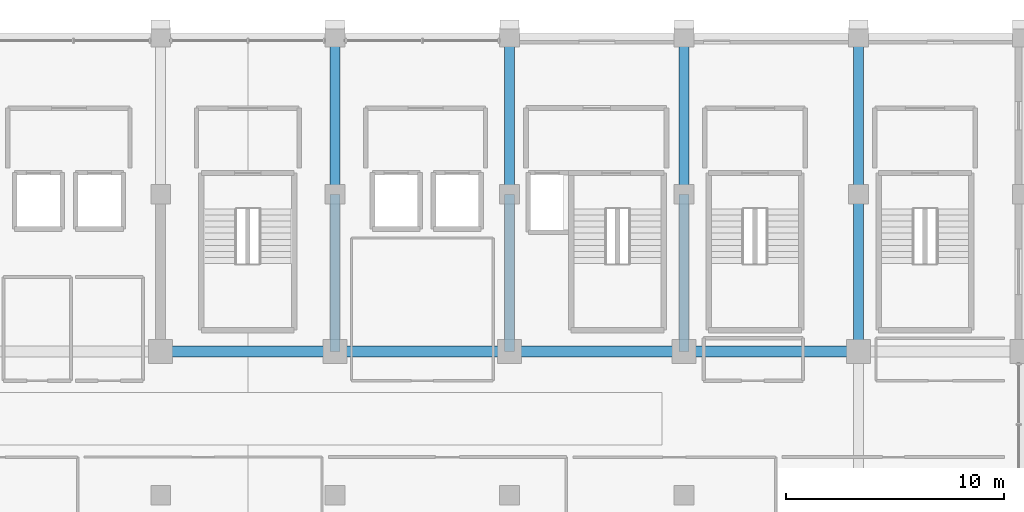
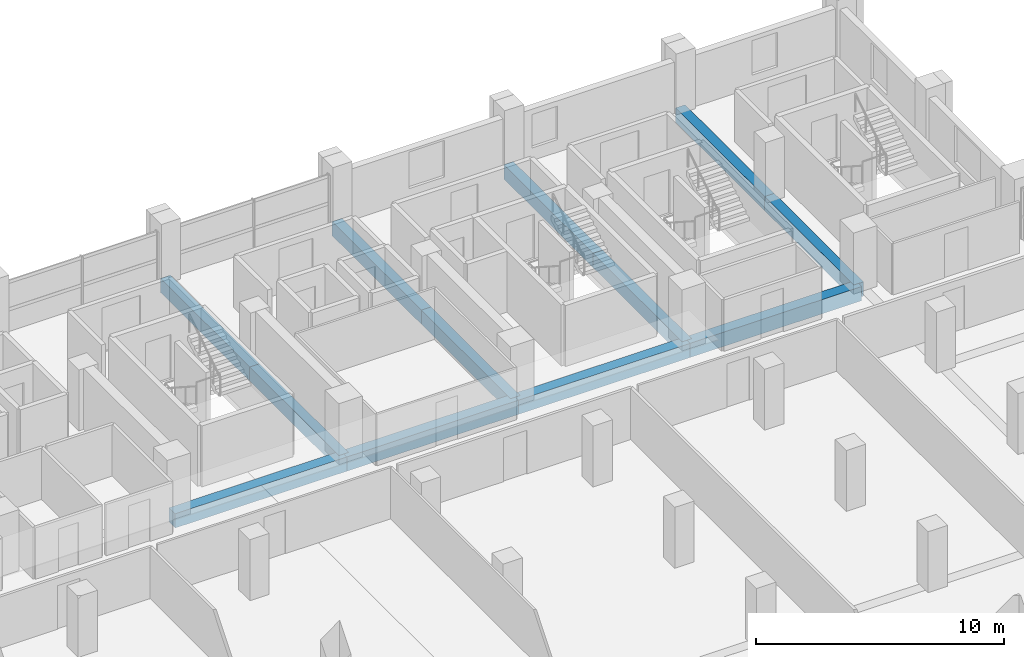
# One storey, part 11 of 22: 12 beams.
"""IFC4 building model written with IfcOpenShell, lengths in metres."""

from ifc_helpers import new_model, si_unit, direction, frame, origin, origin_2d, place, context, subcontext, project, spatial, rectangle, extrude, material, material_profile, profile_set, type_object, element, save


model = new_model("IFC4")

# Units and contexts
model_context = context("Model", 3, precision=1e-05, world=origin(), true_north=direction((0.0, 1.0)))
body_context = subcontext(model_context, "Body", "Model", "MODEL_VIEW")
ifc_project = project(units=[si_unit("LENGTHUNIT", "METRE"), si_unit("AREAUNIT", "SQUARE_METRE"), si_unit("VOLUMEUNIT", "CUBIC_METRE"), si_unit("PLANEANGLEUNIT", "RADIAN"), si_unit("MASSUNIT", "GRAM", prefix="KILO")], contexts=[model_context])

# Site, building, storey
site_placement = place(None, origin())
site = spatial("IfcSite", under=ifc_project, at=site_placement, CompositionType="ELEMENT")
building_placement = place(site_placement, origin())
building = spatial("IfcBuilding", under=site, at=building_placement, Name="Akrevak Sports Hall", CompositionType="ELEMENT")
storey_placement = place(building_placement, frame((0.0, 0.0, 30.800048828125)))
storey = spatial("IfcBuildingStorey", under=building, at=storey_placement, Name="L06", CompositionType="ELEMENT", Elevation=30.800048828125)

# Beams
ifc_material = material(Name="Concrete C40/50", Category="concrete")
ifc_material_profile_1 = material_profile(ifc_material, rectangle(XDim=0.449951171875, YDim=0.699951171875, at=origin_2d()), Name="BM 450x700", Category="concrete")
ifc_profile_set_1 = profile_set([ifc_material_profile_1], Name="Concrete C40/50")
beam_type_1 = type_object("IfcBeamType", Name="STR-BM-RC450x700", PredefinedType="BEAM", material=ifc_profile_set_1)
beam_1_placement = place(storey_placement, frame((84.0, 55.199951171875, -0.35009765625), z_axis=(0.0, 1.0, 0.0), x_axis=(-1.0, 0.0, 0.0)))
element("IfcBeam", 1, at=beam_1_placement, inside=storey, type_object=beam_type_1, Name="Girder 12/I-J (L06)", PredefinedType="BEAM", context=body_context, shape_type="SweptSolid", body=[
    extrude(rectangle(XDim=0.449951171875, YDim=0.699951171875, at=origin_2d()), origin(), (0.0, 0.0, 1.0), 7.199951171875),
])
beam_2_placement = place(storey_placement, frame((84.0, 62.39990234375, -0.35009765625), z_axis=(0.0, 1.0, 0.0), x_axis=(-1.0, 0.0, 0.0)))
element("IfcBeam", 2, at=beam_2_placement, inside=storey, type_object=beam_type_1, Name="Girder 12/J-K (L06)", PredefinedType="BEAM", context=body_context, shape_type="SweptSolid", body=[
    extrude(rectangle(XDim=0.449951171875, YDim=0.699951171875, at=origin_2d()), origin(), (0.0, 0.0, 1.0), 7.2001953125),
])
beam_3_placement = place(storey_placement, frame((92.0, 55.199951171875, -0.35009765625), z_axis=(0.0, 1.0, 0.0), x_axis=(-1.0, 0.0, 0.0)))
element("IfcBeam", 3, at=beam_3_placement, inside=storey, type_object=beam_type_1, Name="Girder 13/I-J (L06)", PredefinedType="BEAM", context=body_context, shape_type="SweptSolid", body=[
    extrude(rectangle(XDim=0.449951171875, YDim=0.699951171875, at=origin_2d()), origin(), (0.0, 0.0, 1.0), 7.199951171875),
])
beam_4_placement = place(storey_placement, frame((92.0, 62.39990234375, -0.35009765625), z_axis=(0.0, 1.0, 0.0), x_axis=(-1.0, 0.0, 0.0)))
element("IfcBeam", 4, at=beam_4_placement, inside=storey, type_object=beam_type_1, Name="Girder 13/J-K (L06)", PredefinedType="BEAM", context=body_context, shape_type="SweptSolid", body=[
    extrude(rectangle(XDim=0.449951171875, YDim=0.699951171875, at=origin_2d()), origin(), (0.0, 0.0, 1.0), 7.2001953125),
])
beam_5_placement = place(storey_placement, frame((100.0, 55.199951171875, -0.35009765625), z_axis=(0.0, 1.0, 0.0), x_axis=(-1.0, 0.0, 0.0)))
element("IfcBeam", 5, at=beam_5_placement, inside=storey, type_object=beam_type_1, Name="Girder 14/I-J (L06)", PredefinedType="BEAM", context=body_context, shape_type="SweptSolid", body=[
    extrude(rectangle(XDim=0.449951171875, YDim=0.699951171875, at=origin_2d()), origin(), (0.0, 0.0, 1.0), 7.199951171875),
])
beam_6_placement = place(storey_placement, frame((100.0, 62.39990234375, -0.35009765625), z_axis=(0.0, 1.0, 0.0), x_axis=(-1.0, 0.0, 0.0)))
element("IfcBeam", 6, at=beam_6_placement, inside=storey, type_object=beam_type_1, Name="Girder 14/J-K (L06)", PredefinedType="BEAM", context=body_context, shape_type="SweptSolid", body=[
    extrude(rectangle(XDim=0.449951171875, YDim=0.699951171875, at=origin_2d()), origin(), (0.0, 0.0, 1.0), 7.2001953125),
])
beam_7_placement = place(storey_placement, frame((108.0, 55.199951171875, -0.35009765625), z_axis=(0.0, 1.0, 0.0), x_axis=(-1.0, 0.0, 0.0)))
element("IfcBeam", 7, at=beam_7_placement, inside=storey, type_object=beam_type_1, Name="Girder 15/I-J (L06)", PredefinedType="BEAM", context=body_context, shape_type="SweptSolid", body=[
    extrude(rectangle(XDim=0.449951171875, YDim=0.699951171875, at=origin_2d()), origin(), (0.0, 0.0, 1.0), 7.199951171875),
])
beam_8_placement = place(storey_placement, frame((108.0, 62.39990234375, -0.35009765625), z_axis=(0.0, 1.0, 0.0), x_axis=(-1.0, 0.0, 0.0)))
element("IfcBeam", 8, at=beam_8_placement, inside=storey, type_object=beam_type_1, Name="Girder 15/J-K (L06)", PredefinedType="BEAM", context=body_context, shape_type="SweptSolid", body=[
    extrude(rectangle(XDim=0.449951171875, YDim=0.699951171875, at=origin_2d()), origin(), (0.0, 0.0, 1.0), 7.2001953125),
])
ifc_material_profile_2 = material_profile(ifc_material, rectangle(XDim=0.5, YDim=0.699951171875, at=origin_2d()), Name="BM 500x700", Category="concrete")
ifc_profile_set_2 = profile_set([ifc_material_profile_2], Name="Concrete C40/50")
beam_type_2 = type_object("IfcBeamType", Name="STR-BM-RC500x700", PredefinedType="BEAM", material=ifc_profile_set_2)
for number, where, z_axis, x_axis, name in (
    (9, (76.0, 55.199951171875, -0.35009765625), (1.0, 0.0, 0.0), (0.0, 1.0, 0.0), "Girder I/11-12 (L06)"),
    (10, (84.0, 55.199951171875, -0.35009765625), (1.0, 0.0, 0.0), (0.0, 1.0, 0.0), "Girder I/12-13 (L06)"),
    (11, (92.0, 55.199951171875, -0.35009765625), (1.0, 0.0, 0.0), (0.0, 1.0, 0.0), "Girder I/13-14 (L06)"),
    (12, (100.0, 55.199951171875, -0.35009765625), (1.0, 0.0, 0.0), (0.0, 1.0, 0.0), "Girder I/14-15 (L06)"),
):
    element("IfcBeam", number, at=place(storey_placement, frame(where, z_axis=z_axis, x_axis=x_axis)), inside=storey, type_object=beam_type_2, Name=name, PredefinedType="BEAM", context=body_context, shape_type="SweptSolid", body=[
        extrude(rectangle(XDim=0.5, YDim=0.699951171875, at=origin_2d()), origin(), (0.0, 0.0, 1.0), 8.0),
    ])

save(model, "model.ifc")
